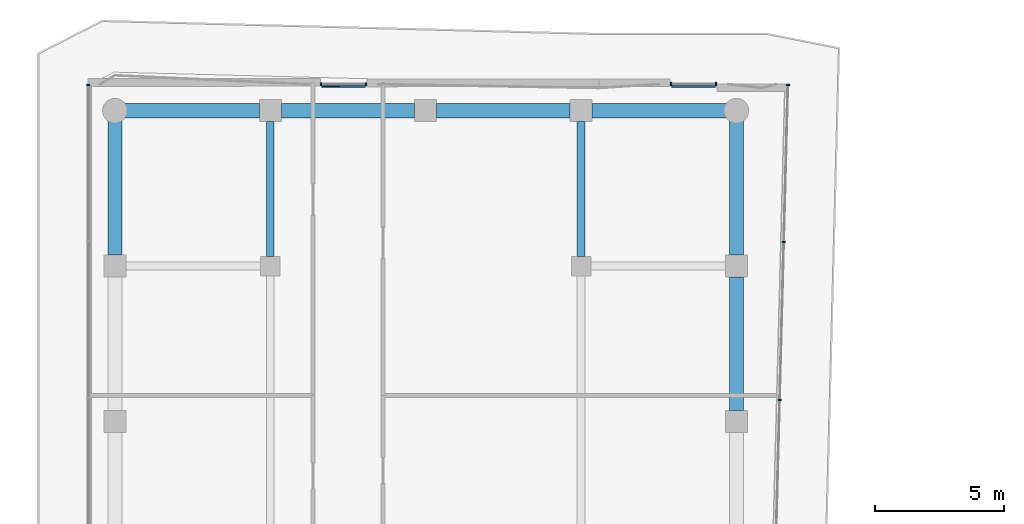
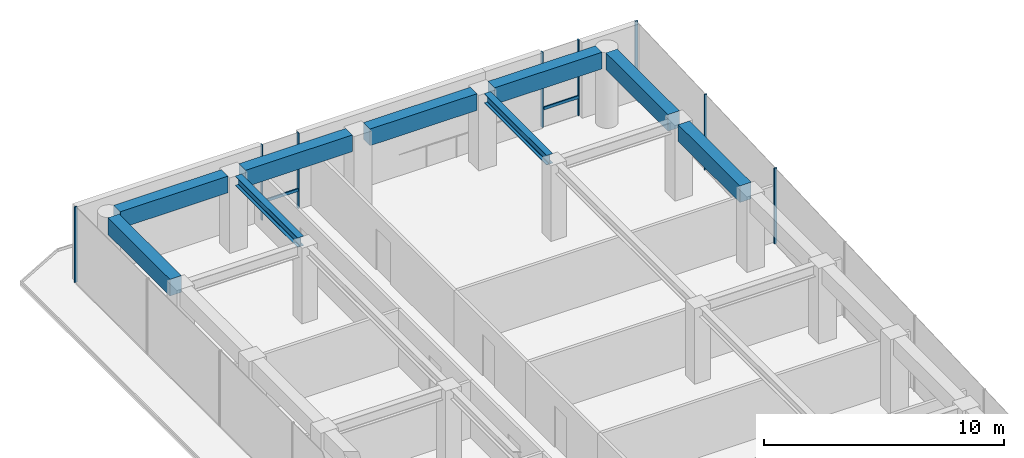
# One storey, part 13 of 19: 10 members, 9 beams, 4 elements without a shape of their own.
"""IFC4 building model written with IfcOpenShell, lengths in metres."""

from ifc_helpers import new_model, si_unit, direction, frame, origin, origin_2d, place, context, subcontext, project, spatial, rectangle, i_section, extrude, material, layer, layer_set, material_profile, profile_set, type_object, element, aggregate, save


model = new_model("IFC4")

# Units and contexts
model_context = context("Model", 3, precision=1e-05, world=origin(), true_north=direction((0.0, 1.0)))
body_context = subcontext(model_context, "Body", "Model", "MODEL_VIEW")
ifc_project = project(units=[si_unit("LENGTHUNIT", "METRE"), si_unit("AREAUNIT", "SQUARE_METRE"), si_unit("VOLUMEUNIT", "CUBIC_METRE"), si_unit("PLANEANGLEUNIT", "RADIAN"), si_unit("MASSUNIT", "GRAM", prefix="KILO")], contexts=[model_context])

# Site, building, storey
site_placement = place(None, origin())
site = spatial("IfcSite", under=ifc_project, at=site_placement, CompositionType="ELEMENT")
building_placement = place(site_placement, origin())
building = spatial("IfcBuilding", under=site, at=building_placement, Name="Welwitschia Terrace Campus", CompositionType="ELEMENT")
storey_placement = place(building_placement, frame((0.0, 0.0, 163.39990234375)))
storey = spatial("IfcBuildingStorey", under=building, at=storey_placement, Name="L36", CompositionType="ELEMENT", Elevation=163.39990234375)

# Beams
ifc_material_1 = material(Name="Steel S355", Category="steel")
ifc_material_profile_1 = material_profile(ifc_material_1, i_section(OverallWidth=0.300048828125, OverallDepth=0.489990234375, WebThickness=0.011962890625, FlangeThickness=0.02294921875, FilletRadius=0.027099609375, at=origin_2d()))
ifc_profile_set_1 = profile_set([ifc_material_profile_1], Name="Steel S355")
beam_type_1 = type_object("IfcBeamType", Name="Interior girder HE 500 A", PredefinedType="BEAM", material=ifc_profile_set_1)
for number, where, z_axis, x_axis, name in (
    (1, (6.0, 56.37548828125, 3.60498046875), (0.0, 1.0, 0.0), (-1.0, 0.0, 0.0), "Girder GB4"),
    (2, (18.0, 56.37548828125, 3.60498046875), (0.0, 1.0, 0.0), (-1.0, 0.0, 0.0), "Girder GB4"),
):
    element("IfcBeam", number, at=place(storey_placement, frame(where, z_axis=z_axis, x_axis=x_axis)), inside=storey, type_object=beam_type_1, Name=name, PredefinedType="BEAM", context=body_context, shape_type="SweptSolid", body=[
        extrude(i_section(OverallWidth=0.300048828125, OverallDepth=0.489990234375, WebThickness=0.011962890625, FlangeThickness=0.02294921875, FilletRadius=0.027099609375, at=origin_2d()), origin(), (0.0, 0.0, 1.0), 5.208984375),
    ])

# Curtain wall, member
ifc_material_2 = material(Name="Bronze anodised aluminium", Category="aluminium")
ifc_layer = layer(ifc_material_2, 0.1201171875)
ifc_layer_set = layer_set([ifc_layer], Name="Bronze anodised aluminium")
curtain_wall_type = type_object("IfcCurtainWallType", Name="Curtain wall CW2 tower 6000", PredefinedType="NOTDEFINED", material=ifc_layer_set)
curtain_wall_1_placement = place(storey_placement, origin())
curtain_wall_1 = element("IfcCurtainWall", 3, at=curtain_wall_1_placement, inside=storey, type_object=curtain_wall_type, Name="CW L36.0.0", PredefinedType="NOTDEFINED")
ifc_material_3 = material(Name="Bronze anodised aluminium", Category="aluminium")
ifc_material_profile_2 = material_profile(ifc_material_3, rectangle(XDim=0.1201171875, YDim=0.06005859375, at=origin_2d()))
ifc_profile_set_2 = profile_set([ifc_material_profile_2], Name="Bronze anodised aluminium")
member_type_1 = type_object("IfcMemberType", Name="Mullion 60x120", PredefinedType="MULLION", material=ifc_profile_set_2)
member_1_placement = place(storey_placement, frame((-1.030029296875, 62.98828125, 0.0), z_axis=(0.0, 0.0, 1.0), x_axis=(1.0, 0.0, 0.0)))
member_1 = element("IfcMember", 4, at=member_1_placement, type_object=member_type_1, Name="Mullion L36.0.0.0", PredefinedType="MULLION", context=body_context, shape_type="SweptSolid", body=[
    extrude(rectangle(XDim=0.1201171875, YDim=0.06005859375, at=origin_2d()), origin(), (0.0, 0.0, 1.0), 3.85009765625),
])
aggregate(curtain_wall_1, [member_1])

# Curtain wall, members
curtain_wall_2_placement = place(storey_placement, origin())
curtain_wall_2 = element("IfcCurtainWall", 5, at=curtain_wall_2_placement, inside=storey, type_object=curtain_wall_type, Name="CW L36.10.0", PredefinedType="NOTDEFINED")
member_2_placement = place(storey_placement, frame((25.670654296875, 50.828369140625, 0.0), z_axis=(0.0, 0.0, 1.0), x_axis=(-0.999657324976, 0.026176948308, 0.0)))
member_2 = element("IfcMember", 6, at=member_2_placement, type_object=member_type_1, Name="Mullion L36.10.0.4", PredefinedType="MULLION", context=body_context, shape_type="SweptSolid", body=[
    extrude(rectangle(XDim=0.1201171875, YDim=0.06005859375, at=origin_2d()), origin(), (0.0, 0.0, 1.0), 3.85009765625),
])
member_3_placement = place(storey_placement, frame((25.83056640625, 56.92919921875, 0.0), z_axis=(0.0, 0.0, 1.0), x_axis=(-0.999657324976, 0.026176948308, 0.0)))
member_3 = element("IfcMember", 7, at=member_3_placement, type_object=member_type_1, Name="Mullion L36.10.0.5", PredefinedType="MULLION", context=body_context, shape_type="SweptSolid", body=[
    extrude(rectangle(XDim=0.1201171875, YDim=0.06005859375, at=origin_2d()), origin(), (0.0, 0.0, 1.0), 3.85009765625),
])
member_4_placement = place(storey_placement, frame((25.989501953125, 63.0, 0.0), z_axis=(0.0, 0.0, 1.0), x_axis=(-0.999657324976, 0.026176948308, 0.0)))
member_4 = element("IfcMember", 8, at=member_4_placement, type_object=member_type_1, Name="Mullion L36.10.0.6", PredefinedType="MULLION", context=body_context, shape_type="SweptSolid", body=[
    extrude(rectangle(XDim=0.1201171875, YDim=0.06005859375, at=origin_2d()), origin(), (0.0, 0.0, 1.0), 3.85009765625),
])
aggregate(curtain_wall_2, [member_2, member_3, member_4])

curtain_wall_3_placement = place(storey_placement, origin())
curtain_wall_3 = element("IfcCurtainWall", 9, at=curtain_wall_3_placement, inside=storey, type_object=curtain_wall_type, Name="CW L36.11.S0", PredefinedType="NOTDEFINED")
member_5_placement = place(storey_placement, frame((23.211669921875, 63.030029296875, 0.0), z_axis=(0.0, 0.0, 1.0), x_axis=(0.0, -1.0, 0.0)))
member_5 = element("IfcMember", 10, at=member_5_placement, type_object=member_type_1, Name="Mullion L36.11.S0.0", PredefinedType="MULLION", context=body_context, shape_type="SweptSolid", body=[
    extrude(rectangle(XDim=0.1201171875, YDim=0.06005859375, at=origin_2d()), origin(), (0.0, 0.0, 1.0), 3.85009765625),
])
member_6_placement = place(storey_placement, frame((21.4716796875, 63.030029296875, 0.0), z_axis=(0.0, 0.0, 1.0), x_axis=(0.0, -1.0, 0.0)))
member_6 = element("IfcMember", 11, at=member_6_placement, type_object=member_type_1, Name="Mullion L36.11.S0.1", PredefinedType="MULLION", context=body_context, shape_type="SweptSolid", body=[
    extrude(rectangle(XDim=0.1201171875, YDim=0.06005859375, at=origin_2d()), origin(), (0.0, 0.0, 1.0), 3.85009765625),
])

curtain_wall_4_placement = place(storey_placement, origin())
curtain_wall_4 = element("IfcCurtainWall", 12, at=curtain_wall_4_placement, inside=storey, type_object=curtain_wall_type, Name="CW L36.12.S0", PredefinedType="NOTDEFINED")
member_7_placement = place(storey_placement, frame((9.701416015625, 63.024658203125, 0.0), z_axis=(0.0, 0.0, 1.0), x_axis=(0.000588593302, -0.999999826779, 0.0)))
member_7 = element("IfcMember", 13, at=member_7_placement, type_object=member_type_1, Name="Mullion L36.12.S0.0", PredefinedType="MULLION", context=body_context, shape_type="SweptSolid", body=[
    extrude(rectangle(XDim=0.1201171875, YDim=0.06005859375, at=origin_2d()), origin(), (0.0, 0.0, 1.0), 3.85009765625),
])
member_8_placement = place(storey_placement, frame((7.96142578125, 63.023681640625, 0.0), z_axis=(0.0, 0.0, 1.0), x_axis=(0.000588593302, -0.999999826779, 0.0)))
member_8 = element("IfcMember", 14, at=member_8_placement, type_object=member_type_1, Name="Mullion L36.12.S0.1", PredefinedType="MULLION", context=body_context, shape_type="SweptSolid", body=[
    extrude(rectangle(XDim=0.1201171875, YDim=0.06005859375, at=origin_2d()), origin(), (0.0, 0.0, 1.0), 3.85009765625),
])

# Beams
ifc_material_4 = material(Name="Concrete C50/60", Category="concrete")
ifc_material_profile_3 = material_profile(ifc_material_4, rectangle(XDim=0.550048828125, YDim=0.85009765625, at=origin_2d()))
ifc_profile_set_3 = profile_set([ifc_material_profile_3], Name="Concrete C50/60")
beam_type_2 = type_object("IfcBeamType", Name="Ring spandrel 550x850", PredefinedType="SPANDREL", material=ifc_profile_set_3)
beam_placement = place(storey_placement, frame((24.0, 50.425537109375, 3.425048828125), z_axis=(0.0, 1.0, 0.0), x_axis=(-1.0, 0.0, 0.0)))
element("IfcBeam", 15, at=beam_placement, inside=storey, type_object=beam_type_2, Name="Spandrel SP3", PredefinedType="SPANDREL", context=body_context, shape_type="SweptSolid", body=[
    extrude(rectangle(XDim=0.550048828125, YDim=0.85009765625, at=origin_2d()), origin(), (0.0, 0.0, 1.0), 5.14892578125),
])
for number, where, z_axis, x_axis, name in (
    (16, (24.0, 56.425537109375, 3.425048828125), (0.0, 1.0, 0.0), (-1.0, 0.0, 0.0), "Spandrel SP3"),
    (17, (23.612060546875, 62.0, 3.425048828125), (-1.0, 0.0, 0.0), (0.0, -1.0, 0.0), "Spandrel SP3"),
):
    element("IfcBeam", number, at=place(storey_placement, frame(where, z_axis=z_axis, x_axis=x_axis)), inside=storey, type_object=beam_type_2, Name=name, PredefinedType="SPANDREL", context=body_context, shape_type="SweptSolid", body=[
        extrude(rectangle(XDim=0.550048828125, YDim=0.85009765625, at=origin_2d()), origin(), (0.0, 0.0, 1.0), 5.1865234375),
    ])
for number, where, z_axis, x_axis, name in (
    (18, (17.574462890625, 62.0, 3.425048828125), (-1.0, 0.0, 0.0), (0.0, -1.0, 0.0), "Spandrel SP3"),
    (19, (11.574462890625, 62.0, 3.425048828125), (-1.0, 0.0, 0.0), (0.0, -1.0, 0.0), "Spandrel SP3"),
):
    element("IfcBeam", number, at=place(storey_placement, frame(where, z_axis=z_axis, x_axis=x_axis)), inside=storey, type_object=beam_type_2, Name=name, PredefinedType="SPANDREL", context=body_context, shape_type="SweptSolid", body=[
        extrude(rectangle(XDim=0.550048828125, YDim=0.85009765625, at=origin_2d()), origin(), (0.0, 0.0, 1.0), 5.14892578125),
    ])
for number, where, z_axis, x_axis, name in (
    (20, (5.574462890625, 62.0, 3.425048828125), (-1.0, 0.0, 0.0), (0.0, -1.0, 0.0), "Spandrel SP3"),
    (21, (0.0, 61.612060546875, 3.425048828125), (0.0, -1.0, 0.0), (1.0, 0.0, 0.0), "Spandrel SP3"),
):
    element("IfcBeam", number, at=place(storey_placement, frame(where, z_axis=z_axis, x_axis=x_axis)), inside=storey, type_object=beam_type_2, Name=name, PredefinedType="SPANDREL", context=body_context, shape_type="SweptSolid", body=[
        extrude(rectangle(XDim=0.550048828125, YDim=0.85009765625, at=origin_2d()), origin(), (0.0, 0.0, 1.0), 5.1865234375),
    ])

# Member
ifc_material_5 = material(Name="Bronze anodised aluminium", Category="aluminium")
ifc_material_profile_4 = material_profile(ifc_material_5, rectangle(XDim=0.06005859375, YDim=0.14990234375, at=origin_2d()))
ifc_profile_set_4 = profile_set([ifc_material_profile_4], Name="Bronze anodised aluminium")
member_type_2 = type_object("IfcMemberType", Name="Transom 60x150", PredefinedType="USERDEFINED", material=ifc_profile_set_4)
member_9_placement = place(storey_placement, frame((23.181640625, 62.93994140625, 1.0), z_axis=(-1.0, 0.0, 0.0), x_axis=(0.0, -1.0, 0.0)))
member_9 = element("IfcMember", 22, at=member_9_placement, type_object=member_type_2, Name="Transom L36.11.S0", ObjectType="TRANSOM", PredefinedType="USERDEFINED", context=body_context, shape_type="SweptSolid", body=[
    extrude(rectangle(XDim=0.06005859375, YDim=0.14990234375, at=origin_2d()), origin(), (0.0, 0.0, 1.0), 1.679931640625),
])

aggregate(curtain_wall_3, [member_5, member_6, member_9])

member_10_placement = place(storey_placement, frame((9.671630859375, 62.9345703125, 1.0), z_axis=(-0.999999831088, -0.00058122629, 0.0), x_axis=(0.00058122629, -0.999999831088, 0.0)))
member_10 = element("IfcMember", 23, at=member_10_placement, type_object=member_type_2, Name="Transom L36.12.S0", ObjectType="TRANSOM", PredefinedType="USERDEFINED", context=body_context, shape_type="SweptSolid", body=[
    extrude(rectangle(XDim=0.06005859375, YDim=0.14990234375, at=origin_2d()), origin(), (0.0, 0.0, 1.0), 1.68017578125),
])

aggregate(curtain_wall_4, [member_7, member_8, member_10])

save(model, "model.ifc")
